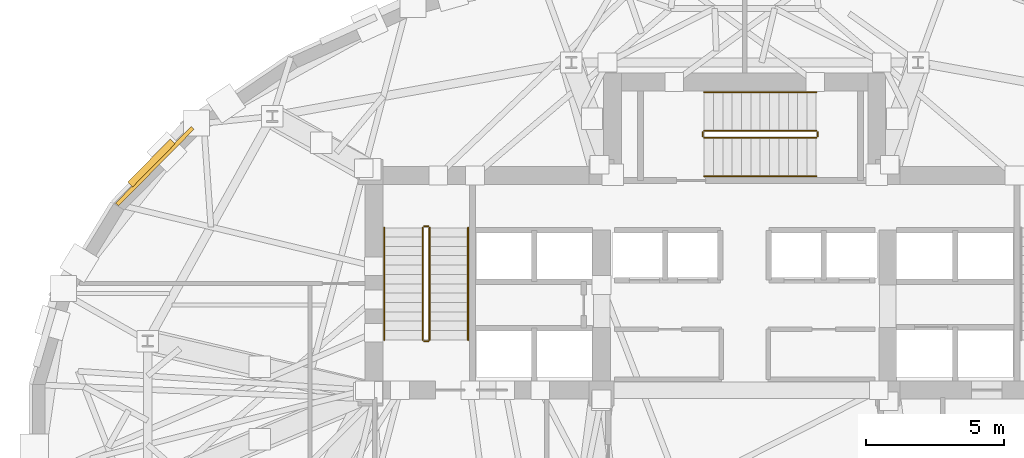
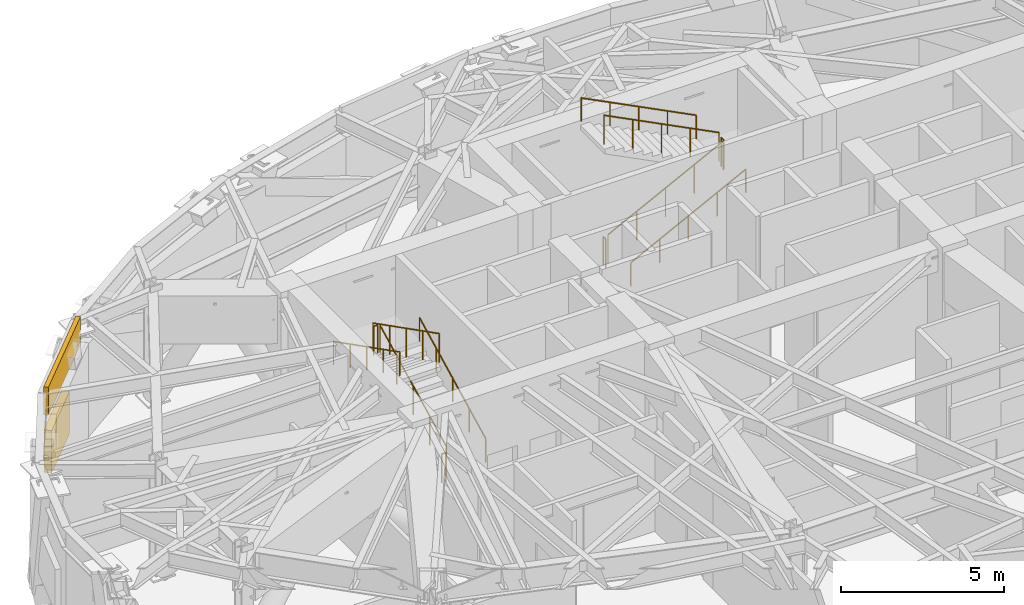
# One storey, part 11 of 13: 12 railings, 1 covering, 1 shading device.
"""IFC4 building model written with IfcOpenShell, lengths in metres."""

from ifc_helpers import new_model, si_unit, direction, frame, origin, origin_2d, place, context, subcontext, project, spatial, rectangle, circle, extrude, material, layer, layer_set, type_object, element, save


model = new_model("IFC4")

# Units and contexts
model_context = context("Model", 3, precision=1e-05, world=origin(), true_north=direction((0.0, 1.0)))
body_context = subcontext(model_context, "Body", "Model", "MODEL_VIEW")
ifc_project = project(units=[si_unit("LENGTHUNIT", "METRE"), si_unit("AREAUNIT", "SQUARE_METRE"), si_unit("VOLUMEUNIT", "CUBIC_METRE"), si_unit("PLANEANGLEUNIT", "RADIAN"), si_unit("MASSUNIT", "GRAM", prefix="KILO")], contexts=[model_context])

# Site, building, storey
site_placement = place(None, origin())
site = spatial("IfcSite", under=ifc_project, at=site_placement, CompositionType="ELEMENT")
building_placement = place(site_placement, origin())
building = spatial("IfcBuilding", under=site, at=building_placement, Name="Keldmark Tower", CompositionType="ELEMENT")
storey_placement = place(building_placement, frame((0.0, 0.0, 135.10009765625)))
storey = spatial("IfcBuildingStorey", under=building, at=storey_placement, Name="L36", CompositionType="ELEMENT", Elevation=135.10009765625)

# Covering
ifc_material_1 = material(Name="Honed Kasota Buff Dolomitic Limestone", Category="masonry")
ifc_layer = layer(ifc_material_1, 0.074951171875)
ifc_layer_set = layer_set([ifc_layer], Name="Honed Kasota Buff Dolomitic Limestone")
covering_type = type_object("IfcCoveringType", Name="Kasota Buff Limestone Spandrel Cladding Band", PredefinedType="CLADDING", material=ifc_layer_set)
covering_placement = place(storey_placement, frame((-21.435791015625, 9.664794921875, 3.421875), z_axis=(0.0, 0.0, 1.0), x_axis=(-0.702090914327, -0.712087317693, 0.0)))
element("IfcCovering", 1, at=covering_placement, inside=storey, type_object=covering_type, Name="L36 Kasota Limestone Spandrel Band 13", PredefinedType="CLADDING", context=body_context, shape_type="SweptSolid", body=[
    extrude(rectangle(XDim=3.9130859375, YDim=0.14990234375, at=origin_2d()), origin(), (0.0, 0.0, 1.0), 1.05810546875),
])

# Shading device
ifc_material_2 = material(Name="Fluoropolymer-Coated Extruded Aluminum Stormproof Blades", Category="aluminium")
shading_device_type = type_object("IfcShadingDeviceType", Name="Mechanical Floor Acoustic Intake Louvre", PredefinedType="JALOUSIE", material=ifc_material_2)
shading_device_placement = place(storey_placement, frame((-21.556884765625, 9.7841796875, 0.64990234375), z_axis=(0.0, 0.0, 1.0), x_axis=(-0.702090914327, -0.712087317693, 0.0)))
element("IfcShadingDevice", 2, at=shading_device_placement, inside=storey, type_object=shading_device_type, Name="L36 Acoustic Stormproof Louvre 13", PredefinedType="JALOUSIE", context=body_context, shape_type="SweptSolid", body=[
    extrude(rectangle(XDim=2.199951171875, YDim=0.25, at=origin_2d()), origin(), (0.0, 0.0, 1.0), 1.60009765625),
])

# Railings
ifc_material_3 = material(Name="Painted Steel ASTM A500 Grade B", Category="steel")
railing_type_1 = type_object("IfcRailingType", Name="Painted Steel Stair Well Guard 1100 mm", PredefinedType="GUARDRAIL", material=ifc_material_3)
railing_1_placement = place(storey_placement, frame((-11.449951171875, 3.35009765625, 0.173095703125)))
element("IfcRailing", 3, at=railing_1_placement, inside=storey, type_object=railing_type_1, Name="L36 ST1 stair guard 1", PredefinedType="GUARDRAIL", context=body_context, shape_type="SweptSolid", body=[
    extrude(circle(Radius=0.02392578125, at=origin_2d()), frame((0.0, 0.0, 1.076171875), z_axis=(0.0, 0.891172131844, 0.453665329759), x_axis=(-1.0, 0.0, 0.0)), (0.0, 0.0, 1.0), 4.578125),
    extrude(circle(Radius=0.02099609375, at=origin_2d()), origin(), (0.0, 0.0, 1.0), 1.052001953125),
    extrude(circle(Radius=0.02099609375, at=origin_2d()), frame((0.0, 1.02001953125, 0.519287109375)), (0.0, 0.0, 1.0), 1.052001953125),
    extrude(circle(Radius=0.02099609375, at=origin_2d()), frame((0.0, 2.0400390625, 1.03857421875)), (0.0, 0.0, 1.0), 1.052001953125),
    extrude(circle(Radius=0.02099609375, at=origin_2d()), frame((0.0, 3.059814453125, 1.5576171875)), (0.0, 0.0, 1.0), 1.052001953125),
    extrude(circle(Radius=0.02099609375, at=origin_2d()), frame((0.0, 4.079833984375, 2.076904296875)), (0.0, 0.0, 1.0), 1.052001953125),
])
railing_2_placement = place(storey_placement, frame((-11.5, 7.47998046875, 2.25)))
element("IfcRailing", 4, at=railing_2_placement, inside=storey, type_object=railing_type_1, Name="L36 ST1 stair guard 2", PredefinedType="GUARDRAIL", context=body_context, shape_type="SweptSolid", body=[
    extrude(circle(Radius=0.02392578125, at=origin_2d()), frame((0.0, 0.0, 1.076171875), z_axis=(-1.0, 0.0, 0.0), x_axis=(0.0, -1.0, 0.0)), (0.0, 0.0, 1.0), 0.14990234375),
    extrude(circle(Radius=0.02099609375, at=origin_2d()), origin(), (0.0, 0.0, 1.0), 1.052001953125),
    extrude(circle(Radius=0.02099609375, at=origin_2d()), frame((-0.14990234375, 0.0, 0.0)), (0.0, 0.0, 1.0), 1.052001953125),
])
railing_3_placement = place(storey_placement, frame((-11.699951171875, 7.429931640625, 2.423095703125)))
element("IfcRailing", 5, at=railing_3_placement, inside=storey, type_object=railing_type_1, Name="L36 ST1 stair guard 3", PredefinedType="GUARDRAIL", context=body_context, shape_type="SweptSolid", body=[
    extrude(circle(Radius=0.02392578125, at=origin_2d()), frame((0.0, 0.0, 1.076171875), z_axis=(0.0, -0.891172131844, 0.453665329759), x_axis=(1.0, 0.0, 0.0)), (0.0, 0.0, 1.0), 4.578125),
    extrude(circle(Radius=0.02099609375, at=origin_2d()), origin(), (0.0, 0.0, 1.0), 1.052001953125),
    extrude(circle(Radius=0.02099609375, at=origin_2d()), frame((0.0, -1.02001953125, 0.519287109375)), (0.0, 0.0, 1.0), 1.052001953125),
    extrude(circle(Radius=0.02099609375, at=origin_2d()), frame((0.0, -2.0400390625, 1.03857421875)), (0.0, 0.0, 1.0), 1.052001953125),
    extrude(circle(Radius=0.02099609375, at=origin_2d()), frame((0.0, -3.059814453125, 1.5576171875)), (0.0, 0.0, 1.0), 1.052001953125),
    extrude(circle(Radius=0.02099609375, at=origin_2d()), frame((0.0, -4.079833984375, 2.076904296875)), (0.0, 0.0, 1.0), 1.052001953125),
])
railing_4_placement = place(storey_placement, frame((-11.5, 3.300048828125, 0.0)))
element("IfcRailing", 6, at=railing_4_placement, inside=storey, type_object=railing_type_1, Name="L36 ST1 stair guard 4", PredefinedType="GUARDRAIL", context=body_context, shape_type="SweptSolid", body=[
    extrude(circle(Radius=0.02392578125, at=origin_2d()), frame((0.0, 0.0, 1.076171875), z_axis=(-1.0, 0.0, 0.0), x_axis=(0.0, -1.0, 0.0)), (0.0, 0.0, 1.0), 0.14990234375),
    extrude(circle(Radius=0.02099609375, at=origin_2d()), origin(), (0.0, 0.0, 1.0), 1.052001953125),
    extrude(circle(Radius=0.02099609375, at=origin_2d()), frame((-0.14990234375, 0.0, 0.0)), (0.0, 0.0, 1.0), 1.052001953125),
])
railing_5_placement = place(storey_placement, frame((-1.47509765625, 10.699951171875, 0.173095703125)))
element("IfcRailing", 7, at=railing_5_placement, inside=storey, type_object=railing_type_1, Name="L36 ST3 stair guard 1", PredefinedType="GUARDRAIL", context=body_context, shape_type="SweptSolid", body=[
    extrude(circle(Radius=0.02392578125, at=origin_2d()), frame((0.0, 0.0, 1.076171875), z_axis=(0.891183106714, 0.0, 0.453643770274), x_axis=(0.0, 1.0, 0.0)), (0.0, 0.0, 1.0), 4.578369140625),
    extrude(circle(Radius=0.02099609375, at=origin_2d()), origin(), (0.0, 0.0, 1.0), 1.052001953125),
    extrude(circle(Radius=0.02099609375, at=origin_2d()), frame((1.02001953125, 0.0, 0.519287109375)), (0.0, 0.0, 1.0), 1.052001953125),
    extrude(circle(Radius=0.02099609375, at=origin_2d()), frame((2.0400390625, 0.0, 1.03857421875)), (0.0, 0.0, 1.0), 1.052001953125),
    extrude(circle(Radius=0.02099609375, at=origin_2d()), frame((3.06005859375, 0.0, 1.5576171875)), (0.0, 0.0, 1.0), 1.052001953125),
    extrude(circle(Radius=0.02099609375, at=origin_2d()), frame((4.080078125, 0.0, 2.076904296875)), (0.0, 0.0, 1.0), 1.052001953125),
])
railing_6_placement = place(storey_placement, frame((2.655029296875, 10.75, 2.25)))
element("IfcRailing", 8, at=railing_6_placement, inside=storey, type_object=railing_type_1, Name="L36 ST3 stair guard 2", PredefinedType="GUARDRAIL", context=body_context, shape_type="SweptSolid", body=[
    extrude(circle(Radius=0.02392578125, at=origin_2d()), frame((0.0, 0.0, 1.076171875), z_axis=(0.0, 1.0, 0.0), x_axis=(-1.0, 0.0, 0.0)), (0.0, 0.0, 1.0), 0.14990234375),
    extrude(circle(Radius=0.02099609375, at=origin_2d()), origin(), (0.0, 0.0, 1.0), 1.052001953125),
    extrude(circle(Radius=0.02099609375, at=origin_2d()), frame((0.0, 0.14990234375, 0.0)), (0.0, 0.0, 1.0), 1.052001953125),
])
railing_7_placement = place(storey_placement, frame((2.60498046875, 10.949951171875, 2.423095703125)))
element("IfcRailing", 9, at=railing_7_placement, inside=storey, type_object=railing_type_1, Name="L36 ST3 stair guard 3", PredefinedType="GUARDRAIL", context=body_context, shape_type="SweptSolid", body=[
    extrude(circle(Radius=0.02392578125, at=origin_2d()), frame((0.0, 0.0, 1.076171875), z_axis=(-0.891183106714, 0.0, 0.453643770274), x_axis=(0.0, -1.0, 0.0)), (0.0, 0.0, 1.0), 4.578369140625),
    extrude(circle(Radius=0.02099609375, at=origin_2d()), origin(), (0.0, 0.0, 1.0), 1.052001953125),
    extrude(circle(Radius=0.02099609375, at=origin_2d()), frame((-1.02001953125, 0.0, 0.519287109375)), (0.0, 0.0, 1.0), 1.052001953125),
    extrude(circle(Radius=0.02099609375, at=origin_2d()), frame((-2.0400390625, 0.0, 1.03857421875)), (0.0, 0.0, 1.0), 1.052001953125),
    extrude(circle(Radius=0.02099609375, at=origin_2d()), frame((-3.06005859375, 0.0, 1.5576171875)), (0.0, 0.0, 1.0), 1.052001953125),
    extrude(circle(Radius=0.02099609375, at=origin_2d()), frame((-4.080078125, 0.0, 2.076904296875)), (0.0, 0.0, 1.0), 1.052001953125),
])
railing_8_placement = place(storey_placement, frame((-1.52490234375, 10.75, 0.0)))
element("IfcRailing", 10, at=railing_8_placement, inside=storey, type_object=railing_type_1, Name="L36 ST3 stair guard 4", PredefinedType="GUARDRAIL", context=body_context, shape_type="SweptSolid", body=[
    extrude(circle(Radius=0.02392578125, at=origin_2d()), frame((0.0, 0.0, 1.076171875), z_axis=(0.0, 1.0, 0.0), x_axis=(-1.0, 0.0, 0.0)), (0.0, 0.0, 1.0), 0.14990234375),
    extrude(circle(Radius=0.02099609375, at=origin_2d()), origin(), (0.0, 0.0, 1.0), 1.052001953125),
    extrude(circle(Radius=0.02099609375, at=origin_2d()), frame((0.0, 0.14990234375, 0.0)), (0.0, 0.0, 1.0), 1.052001953125),
])
ifc_material_4 = material(Name="Stainless Steel AISI 316L", Category="steel")
railing_type_2 = type_object("IfcRailingType", Name="Stainless Steel Stair Handrail 900 mm", PredefinedType="HANDRAIL", material=ifc_material_4)
railing_9_placement = place(storey_placement, frame((-10.050048828125, 3.35009765625, 0.173095703125)))
element("IfcRailing", 11, at=railing_9_placement, inside=storey, type_object=railing_type_2, Name="L36 ST1 stair handrail 1", PredefinedType="HANDRAIL", context=body_context, shape_type="SweptSolid", body=[
    extrude(circle(Radius=0.02392578125, at=origin_2d()), frame((0.0, 0.0, 0.8759765625), z_axis=(0.0, 0.891172131844, 0.453665329759), x_axis=(-1.0, 0.0, 0.0)), (0.0, 0.0, 1.0), 4.578125),
    extrude(circle(Radius=0.02099609375, at=origin_2d()), origin(), (0.0, 0.0, 1.0), 0.851806640625),
    extrude(circle(Radius=0.02099609375, at=origin_2d()), frame((0.0, 1.02001953125, 0.519287109375)), (0.0, 0.0, 1.0), 0.851806640625),
    extrude(circle(Radius=0.02099609375, at=origin_2d()), frame((0.0, 2.0400390625, 1.03857421875)), (0.0, 0.0, 1.0), 0.851806640625),
    extrude(circle(Radius=0.02099609375, at=origin_2d()), frame((0.0, 3.059814453125, 1.5576171875)), (0.0, 0.0, 1.0), 0.851806640625),
    extrude(circle(Radius=0.02099609375, at=origin_2d()), frame((0.0, 4.079833984375, 2.076904296875)), (0.0, 0.0, 1.0), 0.851806640625),
])
railing_10_placement = place(storey_placement, frame((-13.10009765625, 7.429931640625, 2.423095703125)))
element("IfcRailing", 12, at=railing_10_placement, inside=storey, type_object=railing_type_2, Name="L36 ST1 stair handrail 2", PredefinedType="HANDRAIL", context=body_context, shape_type="SweptSolid", body=[
    extrude(circle(Radius=0.02392578125, at=origin_2d()), frame((0.0, 0.0, 0.8759765625), z_axis=(0.0, -0.891172131844, 0.453665329759), x_axis=(1.0, 0.0, 0.0)), (0.0, 0.0, 1.0), 4.578125),
    extrude(circle(Radius=0.02099609375, at=origin_2d()), origin(), (0.0, 0.0, 1.0), 0.851806640625),
    extrude(circle(Radius=0.02099609375, at=origin_2d()), frame((0.0, -1.02001953125, 0.519287109375)), (0.0, 0.0, 1.0), 0.851806640625),
    extrude(circle(Radius=0.02099609375, at=origin_2d()), frame((0.0, -2.0400390625, 1.03857421875)), (0.0, 0.0, 1.0), 0.851806640625),
    extrude(circle(Radius=0.02099609375, at=origin_2d()), frame((0.0, -3.059814453125, 1.5576171875)), (0.0, 0.0, 1.0), 0.851806640625),
    extrude(circle(Radius=0.02099609375, at=origin_2d()), frame((0.0, -4.079833984375, 2.076904296875)), (0.0, 0.0, 1.0), 0.851806640625),
])
railing_11_placement = place(storey_placement, frame((-1.47509765625, 9.300048828125, 0.173095703125)))
element("IfcRailing", 13, at=railing_11_placement, inside=storey, type_object=railing_type_2, Name="L36 ST3 stair handrail 1", PredefinedType="HANDRAIL", context=body_context, shape_type="SweptSolid", body=[
    extrude(circle(Radius=0.02392578125, at=origin_2d()), frame((0.0, 0.0, 0.8759765625), z_axis=(0.891183106714, 0.0, 0.453643770274), x_axis=(0.0, 1.0, 0.0)), (0.0, 0.0, 1.0), 4.578369140625),
    extrude(circle(Radius=0.02099609375, at=origin_2d()), origin(), (0.0, 0.0, 1.0), 0.851806640625),
    extrude(circle(Radius=0.02099609375, at=origin_2d()), frame((1.02001953125, 0.0, 0.519287109375)), (0.0, 0.0, 1.0), 0.851806640625),
    extrude(circle(Radius=0.02099609375, at=origin_2d()), frame((2.0400390625, 0.0, 1.03857421875)), (0.0, 0.0, 1.0), 0.851806640625),
    extrude(circle(Radius=0.02099609375, at=origin_2d()), frame((3.06005859375, 0.0, 1.5576171875)), (0.0, 0.0, 1.0), 0.851806640625),
    extrude(circle(Radius=0.02099609375, at=origin_2d()), frame((4.080078125, 0.0, 2.076904296875)), (0.0, 0.0, 1.0), 0.851806640625),
])
railing_12_placement = place(storey_placement, frame((2.60498046875, 12.35009765625, 2.423095703125)))
element("IfcRailing", 14, at=railing_12_placement, inside=storey, type_object=railing_type_2, Name="L36 ST3 stair handrail 2", PredefinedType="HANDRAIL", context=body_context, shape_type="SweptSolid", body=[
    extrude(circle(Radius=0.02392578125, at=origin_2d()), frame((0.0, 0.0, 0.8759765625), z_axis=(-0.891183106714, 0.0, 0.453643770274), x_axis=(0.0, -1.0, 0.0)), (0.0, 0.0, 1.0), 4.578369140625),
    extrude(circle(Radius=0.02099609375, at=origin_2d()), origin(), (0.0, 0.0, 1.0), 0.851806640625),
    extrude(circle(Radius=0.02099609375, at=origin_2d()), frame((-1.02001953125, 0.0, 0.519287109375)), (0.0, 0.0, 1.0), 0.851806640625),
    extrude(circle(Radius=0.02099609375, at=origin_2d()), frame((-2.0400390625, 0.0, 1.03857421875)), (0.0, 0.0, 1.0), 0.851806640625),
    extrude(circle(Radius=0.02099609375, at=origin_2d()), frame((-3.06005859375, 0.0, 1.5576171875)), (0.0, 0.0, 1.0), 0.851806640625),
    extrude(circle(Radius=0.02099609375, at=origin_2d()), frame((-4.080078125, 0.0, 2.076904296875)), (0.0, 0.0, 1.0), 0.851806640625),
])

save(model, "model.ifc")
